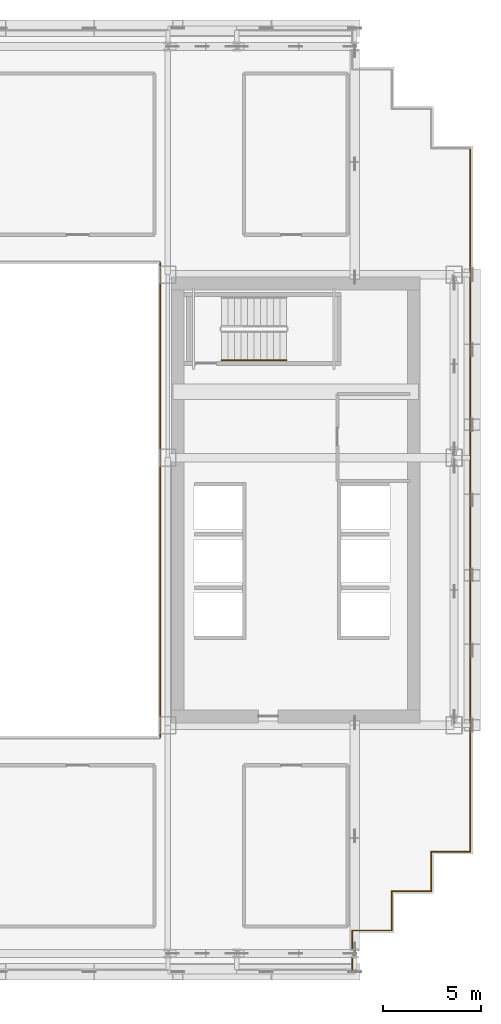
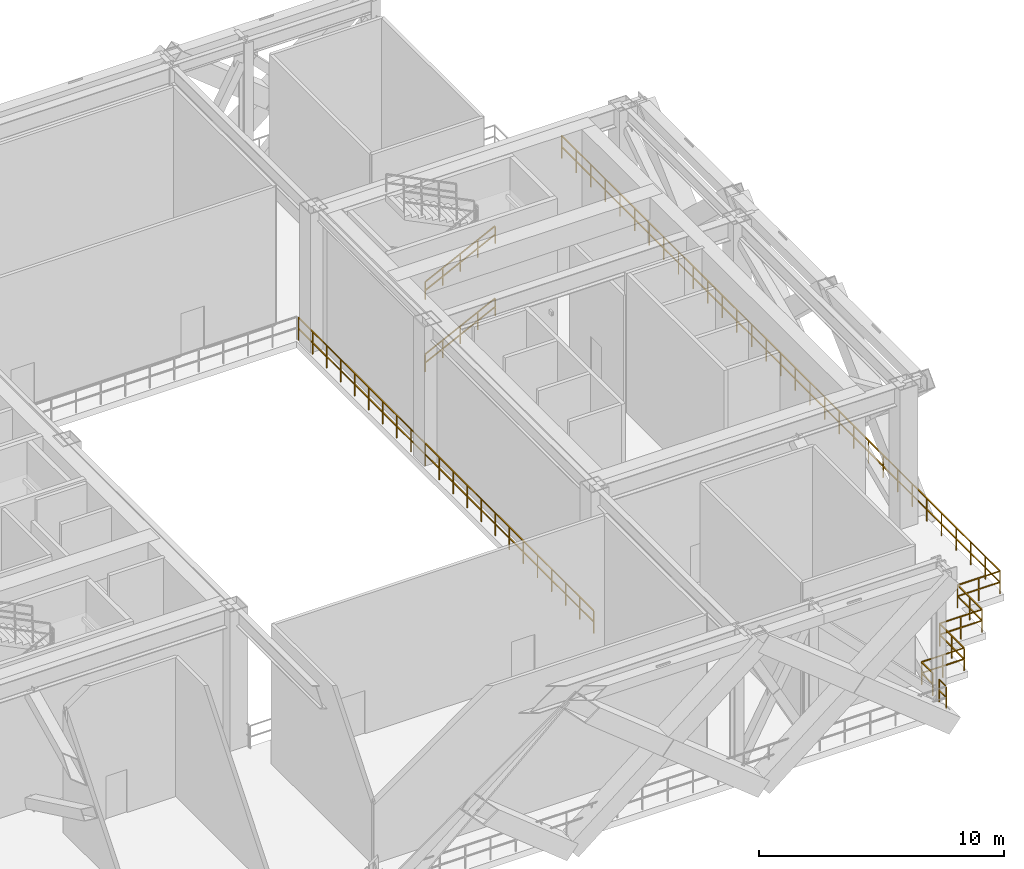
# One storey, part 12 of 14: 11 railings.
"""IFC4 building model written with IfcOpenShell, lengths in metres."""

from ifc_helpers import new_model, si_unit, direction, frame, origin, origin_2d, place, context, subcontext, project, spatial, rectangle, extrude, material, type_object, element, save


model = new_model("IFC4")

# Units and contexts
model_context = context("Model", 3, precision=1e-05, world=origin(), true_north=direction((0.0, 1.0)))
body_context = subcontext(model_context, "Body", "Model", "MODEL_VIEW")
ifc_project = project(units=[si_unit("LENGTHUNIT", "METRE"), si_unit("AREAUNIT", "SQUARE_METRE"), si_unit("VOLUMEUNIT", "CUBIC_METRE"), si_unit("PLANEANGLEUNIT", "RADIAN"), si_unit("MASSUNIT", "GRAM", prefix="KILO")], contexts=[model_context])

# Site, building, storey
site_placement = place(None, origin())
site = spatial("IfcSite", under=ifc_project, at=site_placement, CompositionType="ELEMENT")
building_placement = place(site_placement, origin())
building = spatial("IfcBuilding", under=site, at=building_placement, Name="Ocotamira Hotel", CompositionType="ELEMENT")
storey_placement = place(building_placement, frame((0.0, 0.0, 85.199951171875)))
storey = spatial("IfcBuildingStorey", under=building, at=storey_placement, Name="L21", CompositionType="ELEMENT", Elevation=85.199951171875)

# Railings
ifc_material_1 = material(Name="Painted steel stair guardrail", Category="steel")
railing_type_1 = type_object("IfcRailingType", Name="RL-EDGE-1150", PredefinedType="GUARDRAIL", material=ifc_material_1)
railing_1_placement = place(storey_placement, frame((40.1201171875, 13.9599609375, 0.0)))
element("IfcRailing", 1, at=railing_1_placement, inside=storey, type_object=railing_type_1, Name="L21 Central Atrium Edge Guardrail E", PredefinedType="GUARDRAIL", context=body_context, shape_type="SweptSolid", body=[
    extrude(rectangle(XDim=0.048095703125, YDim=0.048095703125, at=origin_2d()), frame((0.0, 0.0, 1.1259765625), z_axis=(0.0, 1.0, 0.0), x_axis=(-1.0, 0.0, 0.0)), (0.0, 0.0, 1.0), 24.080078125),
    extrude(rectangle(XDim=0.048095703125, YDim=0.048095703125, at=origin_2d()), frame((0.0, 0.0, 0.574951171875), z_axis=(0.0, 1.0, 0.0), x_axis=(-1.0, 0.0, 0.0)), (0.0, 0.0, 1.0), 24.080078125),
    extrude(rectangle(XDim=0.0419921875, YDim=0.0419921875, at=origin_2d()), origin(), (0.0, 0.0, 1.0), 1.101806640625),
    extrude(rectangle(XDim=0.0419921875, YDim=0.0419921875, at=origin_2d()), frame((0.0, 1.146728515625, 0.0)), (0.0, 0.0, 1.0), 1.101806640625),
    extrude(rectangle(XDim=0.0419921875, YDim=0.0419921875, at=origin_2d()), frame((0.0, 2.29345703125, 0.0)), (0.0, 0.0, 1.0), 1.101806640625),
    extrude(rectangle(XDim=0.0419921875, YDim=0.0419921875, at=origin_2d()), frame((0.0, 3.43994140625, 0.0)), (0.0, 0.0, 1.0), 1.101806640625),
    extrude(rectangle(XDim=0.0419921875, YDim=0.0419921875, at=origin_2d()), frame((0.0, 4.586669921875, 0.0)), (0.0, 0.0, 1.0), 1.101806640625),
    extrude(rectangle(XDim=0.0419921875, YDim=0.0419921875, at=origin_2d()), frame((0.0, 5.7333984375, 0.0)), (0.0, 0.0, 1.0), 1.101806640625),
    extrude(rectangle(XDim=0.0419921875, YDim=0.0419921875, at=origin_2d()), frame((0.0, 6.880126953125, 0.0)), (0.0, 0.0, 1.0), 1.101806640625),
    extrude(rectangle(XDim=0.0419921875, YDim=0.0419921875, at=origin_2d()), frame((0.0, 8.026611328125, 0.0)), (0.0, 0.0, 1.0), 1.101806640625),
    extrude(rectangle(XDim=0.0419921875, YDim=0.0419921875, at=origin_2d()), frame((0.0, 9.17333984375, 0.0)), (0.0, 0.0, 1.0), 1.101806640625),
    extrude(rectangle(XDim=0.0419921875, YDim=0.0419921875, at=origin_2d()), frame((0.0, 10.320068359375, 0.0)), (0.0, 0.0, 1.0), 1.101806640625),
    extrude(rectangle(XDim=0.0419921875, YDim=0.0419921875, at=origin_2d()), frame((0.0, 11.466796875, 0.0)), (0.0, 0.0, 1.0), 1.101806640625),
    extrude(rectangle(XDim=0.0419921875, YDim=0.0419921875, at=origin_2d()), frame((0.0, 12.61328125, 0.0)), (0.0, 0.0, 1.0), 1.101806640625),
    extrude(rectangle(XDim=0.0419921875, YDim=0.0419921875, at=origin_2d()), frame((0.0, 13.760009765625, 0.0)), (0.0, 0.0, 1.0), 1.101806640625),
    extrude(rectangle(XDim=0.0419921875, YDim=0.0419921875, at=origin_2d()), frame((0.0, 14.90673828125, 0.0)), (0.0, 0.0, 1.0), 1.101806640625),
    extrude(rectangle(XDim=0.0419921875, YDim=0.0419921875, at=origin_2d()), frame((0.0, 16.053466796875, 0.0)), (0.0, 0.0, 1.0), 1.101806640625),
    extrude(rectangle(XDim=0.0419921875, YDim=0.0419921875, at=origin_2d()), frame((0.0, 17.199951171875, 0.0)), (0.0, 0.0, 1.0), 1.101806640625),
    extrude(rectangle(XDim=0.0419921875, YDim=0.0419921875, at=origin_2d()), frame((0.0, 18.3466796875, 0.0)), (0.0, 0.0, 1.0), 1.101806640625),
    extrude(rectangle(XDim=0.0419921875, YDim=0.0419921875, at=origin_2d()), frame((0.0, 19.493408203125, 0.0)), (0.0, 0.0, 1.0), 1.101806640625),
    extrude(rectangle(XDim=0.0419921875, YDim=0.0419921875, at=origin_2d()), frame((0.0, 20.64013671875, 0.0)), (0.0, 0.0, 1.0), 1.101806640625),
    extrude(rectangle(XDim=0.0419921875, YDim=0.0419921875, at=origin_2d()), frame((0.0, 21.78662109375, 0.0)), (0.0, 0.0, 1.0), 1.101806640625),
    extrude(rectangle(XDim=0.0419921875, YDim=0.0419921875, at=origin_2d()), frame((0.0, 22.933349609375, 0.0)), (0.0, 0.0, 1.0), 1.101806640625),
    extrude(rectangle(XDim=0.0419921875, YDim=0.0419921875, at=origin_2d()), frame((0.0, 24.080078125, 0.0)), (0.0, 0.0, 1.0), 1.101806640625),
])
ifc_material_2 = material(Name="Brushed stainless steel handrail", Category="steel")
railing_type_2 = type_object("IfcRailingType", Name="RL-HAND-900", PredefinedType="HANDRAIL", material=ifc_material_2)
railing_2_placement = place(storey_placement, frame((43.22998046875, 33.10009765625, 0.327392578125)))
element("IfcRailing", 2, at=railing_2_placement, inside=storey, type_object=railing_type_2, Name="L21 ST-4 stair handrail 1", PredefinedType="HANDRAIL", context=body_context, shape_type="SweptSolid", body=[
    extrude(rectangle(XDim=0.048095703125, YDim=0.048095703125, at=origin_2d()), frame((0.0, 0.0, 0.8759765625), z_axis=(0.895920123917, 0.0, 0.444215186098), x_axis=(0.0, 1.0, 0.0)), (0.0, 0.0, 1.0), 3.683349609375),
    extrude(rectangle(XDim=0.048095703125, YDim=0.048095703125, at=origin_2d()), frame((0.0, 0.0, 0.449951171875), z_axis=(0.895920123917, 0.0, 0.444215186098), x_axis=(0.0, 1.0, 0.0)), (0.0, 0.0, 1.0), 3.683349609375),
    extrude(rectangle(XDim=0.0419921875, YDim=0.0419921875, at=origin_2d()), origin(), (0.0, 0.0, 1.0), 0.851806640625),
    extrude(rectangle(XDim=0.0419921875, YDim=0.0419921875, at=origin_2d()), frame((0.824951171875, 0.0, 0.4091796875)), (0.0, 0.0, 1.0), 0.851806640625),
    extrude(rectangle(XDim=0.0419921875, YDim=0.0419921875, at=origin_2d()), frame((1.64990234375, 0.0, 0.818115234375)), (0.0, 0.0, 1.0), 0.851806640625),
    extrude(rectangle(XDim=0.0419921875, YDim=0.0419921875, at=origin_2d()), frame((2.47509765625, 0.0, 1.22705078125)), (0.0, 0.0, 1.0), 0.851806640625),
    extrude(rectangle(XDim=0.0419921875, YDim=0.0419921875, at=origin_2d()), frame((3.300048828125, 0.0, 1.63623046875)), (0.0, 0.0, 1.0), 0.851806640625),
])
railing_3_placement = place(storey_placement, frame((43.22998046875, 33.10009765625, 3.92724609375)))
element("IfcRailing", 3, at=railing_3_placement, inside=storey, type_object=railing_type_2, Name="L21 ST-4 stair handrail 3", PredefinedType="HANDRAIL", context=body_context, shape_type="SweptSolid", body=[
    extrude(rectangle(XDim=0.048095703125, YDim=0.048095703125, at=origin_2d()), frame((0.0, 0.0, 0.8759765625), z_axis=(0.895893744519, 0.0, 0.4442683857), x_axis=(0.0, 1.0, 0.0)), (0.0, 0.0, 1.0), 3.68359375),
    extrude(rectangle(XDim=0.048095703125, YDim=0.048095703125, at=origin_2d()), frame((0.0, 0.0, 0.449951171875), z_axis=(0.895893744519, 0.0, 0.4442683857), x_axis=(0.0, 1.0, 0.0)), (0.0, 0.0, 1.0), 3.68359375),
    extrude(rectangle(XDim=0.0419921875, YDim=0.0419921875, at=origin_2d()), origin(), (0.0, 0.0, 1.0), 0.851806640625),
    extrude(rectangle(XDim=0.0419921875, YDim=0.0419921875, at=origin_2d()), frame((0.824951171875, 0.0, 0.4091796875)), (0.0, 0.0, 1.0), 0.851806640625),
    extrude(rectangle(XDim=0.0419921875, YDim=0.0419921875, at=origin_2d()), frame((1.64990234375, 0.0, 0.818359375)), (0.0, 0.0, 1.0), 0.851806640625),
    extrude(rectangle(XDim=0.0419921875, YDim=0.0419921875, at=origin_2d()), frame((2.47509765625, 0.0, 1.227294921875)), (0.0, 0.0, 1.0), 0.851806640625),
    extrude(rectangle(XDim=0.0419921875, YDim=0.0419921875, at=origin_2d()), frame((3.300048828125, 0.0, 1.636474609375)), (0.0, 0.0, 1.0), 0.851806640625),
])
ifc_material_3 = material(Name="Pale-metal stainless steel guardrail", Category="steel")
railing_type_3 = type_object("IfcRailingType", Name="RL-PERIM-1150", PredefinedType="GUARDRAIL", material=ifc_material_3)
railing_4_placement = place(storey_placement, frame((55.8798828125, 43.8798828125, 0.0)))
element("IfcRailing", 4, at=railing_4_placement, inside=storey, type_object=railing_type_3, Name="L21 Perimeter Guardrail WSLOT1-24", PredefinedType="GUARDRAIL", context=body_context, shape_type="SweptSolid", body=[
    extrude(rectangle(XDim=0.048095703125, YDim=0.048095703125, at=origin_2d()), frame((0.0, 0.0, 1.1259765625), z_axis=(0.0, -1.0, 0.0), x_axis=(1.0, 0.0, 0.0)), (0.0, 0.0, 1.0), 35.759765625),
    extrude(rectangle(XDim=0.048095703125, YDim=0.048095703125, at=origin_2d()), frame((0.0, 0.0, 0.574951171875), z_axis=(0.0, -1.0, 0.0), x_axis=(1.0, 0.0, 0.0)), (0.0, 0.0, 1.0), 35.759765625),
    extrude(rectangle(XDim=0.0419921875, YDim=0.0419921875, at=origin_2d()), origin(), (0.0, 0.0, 1.0), 1.101806640625),
    extrude(rectangle(XDim=0.0419921875, YDim=0.0419921875, at=origin_2d()), frame((0.0, -1.19189453125, 0.0)), (0.0, 0.0, 1.0), 1.101806640625),
    extrude(rectangle(XDim=0.0419921875, YDim=0.0419921875, at=origin_2d()), frame((0.0, -2.384033203125, 0.0)), (0.0, 0.0, 1.0), 1.101806640625),
    extrude(rectangle(XDim=0.0419921875, YDim=0.0419921875, at=origin_2d()), frame((0.0, -3.575927734375, 0.0)), (0.0, 0.0, 1.0), 1.101806640625),
    extrude(rectangle(XDim=0.0419921875, YDim=0.0419921875, at=origin_2d()), frame((0.0, -4.76806640625, 0.0)), (0.0, 0.0, 1.0), 1.101806640625),
    extrude(rectangle(XDim=0.0419921875, YDim=0.0419921875, at=origin_2d()), frame((0.0, -5.9599609375, 0.0)), (0.0, 0.0, 1.0), 1.101806640625),
    extrude(rectangle(XDim=0.0419921875, YDim=0.0419921875, at=origin_2d()), frame((0.0, -7.15185546875, 0.0)), (0.0, 0.0, 1.0), 1.101806640625),
    extrude(rectangle(XDim=0.0419921875, YDim=0.0419921875, at=origin_2d()), frame((0.0, -8.343994140625, 0.0)), (0.0, 0.0, 1.0), 1.101806640625),
    extrude(rectangle(XDim=0.0419921875, YDim=0.0419921875, at=origin_2d()), frame((0.0, -9.535888671875, 0.0)), (0.0, 0.0, 1.0), 1.101806640625),
    extrude(rectangle(XDim=0.0419921875, YDim=0.0419921875, at=origin_2d()), frame((0.0, -10.72802734375, 0.0)), (0.0, 0.0, 1.0), 1.101806640625),
    extrude(rectangle(XDim=0.0419921875, YDim=0.0419921875, at=origin_2d()), frame((0.0, -11.919921875, 0.0)), (0.0, 0.0, 1.0), 1.101806640625),
    extrude(rectangle(XDim=0.0419921875, YDim=0.0419921875, at=origin_2d()), frame((0.0, -13.11181640625, 0.0)), (0.0, 0.0, 1.0), 1.101806640625),
    extrude(rectangle(XDim=0.0419921875, YDim=0.0419921875, at=origin_2d()), frame((0.0, -14.303955078125, 0.0)), (0.0, 0.0, 1.0), 1.101806640625),
    extrude(rectangle(XDim=0.0419921875, YDim=0.0419921875, at=origin_2d()), frame((0.0, -15.495849609375, 0.0)), (0.0, 0.0, 1.0), 1.101806640625),
    extrude(rectangle(XDim=0.0419921875, YDim=0.0419921875, at=origin_2d()), frame((0.0, -16.68798828125, 0.0)), (0.0, 0.0, 1.0), 1.101806640625),
    extrude(rectangle(XDim=0.0419921875, YDim=0.0419921875, at=origin_2d()), frame((0.0, -17.8798828125, 0.0)), (0.0, 0.0, 1.0), 1.101806640625),
    extrude(rectangle(XDim=0.0419921875, YDim=0.0419921875, at=origin_2d()), frame((0.0, -19.07177734375, 0.0)), (0.0, 0.0, 1.0), 1.101806640625),
    extrude(rectangle(XDim=0.0419921875, YDim=0.0419921875, at=origin_2d()), frame((0.0, -20.263916015625, 0.0)), (0.0, 0.0, 1.0), 1.101806640625),
    extrude(rectangle(XDim=0.0419921875, YDim=0.0419921875, at=origin_2d()), frame((0.0, -21.455810546875, 0.0)), (0.0, 0.0, 1.0), 1.101806640625),
    extrude(rectangle(XDim=0.0419921875, YDim=0.0419921875, at=origin_2d()), frame((0.0, -22.64794921875, 0.0)), (0.0, 0.0, 1.0), 1.101806640625),
    extrude(rectangle(XDim=0.0419921875, YDim=0.0419921875, at=origin_2d()), frame((0.0, -23.83984375, 0.0)), (0.0, 0.0, 1.0), 1.101806640625),
    extrude(rectangle(XDim=0.0419921875, YDim=0.0419921875, at=origin_2d()), frame((0.0, -25.03173828125, 0.0)), (0.0, 0.0, 1.0), 1.101806640625),
    extrude(rectangle(XDim=0.0419921875, YDim=0.0419921875, at=origin_2d()), frame((0.0, -26.223876953125, 0.0)), (0.0, 0.0, 1.0), 1.101806640625),
    extrude(rectangle(XDim=0.0419921875, YDim=0.0419921875, at=origin_2d()), frame((0.0, -27.415771484375, 0.0)), (0.0, 0.0, 1.0), 1.101806640625),
    extrude(rectangle(XDim=0.0419921875, YDim=0.0419921875, at=origin_2d()), frame((0.0, -28.60791015625, 0.0)), (0.0, 0.0, 1.0), 1.101806640625),
    extrude(rectangle(XDim=0.0419921875, YDim=0.0419921875, at=origin_2d()), frame((0.0, -29.7998046875, 0.0)), (0.0, 0.0, 1.0), 1.101806640625),
    extrude(rectangle(XDim=0.0419921875, YDim=0.0419921875, at=origin_2d()), frame((0.0, -30.99169921875, 0.0)), (0.0, 0.0, 1.0), 1.101806640625),
    extrude(rectangle(XDim=0.0419921875, YDim=0.0419921875, at=origin_2d()), frame((0.0, -32.183837890625, 0.0)), (0.0, 0.0, 1.0), 1.101806640625),
    extrude(rectangle(XDim=0.0419921875, YDim=0.0419921875, at=origin_2d()), frame((0.0, -33.375732421875, 0.0)), (0.0, 0.0, 1.0), 1.101806640625),
    extrude(rectangle(XDim=0.0419921875, YDim=0.0419921875, at=origin_2d()), frame((0.0, -34.56787109375, 0.0)), (0.0, 0.0, 1.0), 1.101806640625),
    extrude(rectangle(XDim=0.0419921875, YDim=0.0419921875, at=origin_2d()), frame((0.0, -35.759765625, 0.0)), (0.0, 0.0, 1.0), 1.101806640625),
])
railing_5_placement = place(storey_placement, frame((55.8798828125, 8.1201171875, 0.0)))
element("IfcRailing", 5, at=railing_5_placement, inside=storey, type_object=railing_type_3, Name="L21 Perimeter Guardrail WSLOT1-25", PredefinedType="GUARDRAIL", context=body_context, shape_type="SweptSolid", body=[
    extrude(rectangle(XDim=0.048095703125, YDim=0.048095703125, at=origin_2d()), frame((0.0, 0.0, 1.1259765625), z_axis=(-1.0, 0.0, 0.0), x_axis=(0.0, -1.0, 0.0)), (0.0, 0.0, 1.0), 2.0),
    extrude(rectangle(XDim=0.048095703125, YDim=0.048095703125, at=origin_2d()), frame((0.0, 0.0, 0.574951171875), z_axis=(-1.0, 0.0, 0.0), x_axis=(0.0, -1.0, 0.0)), (0.0, 0.0, 1.0), 2.0),
    extrude(rectangle(XDim=0.0419921875, YDim=0.0419921875, at=origin_2d()), origin(), (0.0, 0.0, 1.0), 1.101806640625),
    extrude(rectangle(XDim=0.0419921875, YDim=0.0419921875, at=origin_2d()), frame((-1.0, 0.0, 0.0)), (0.0, 0.0, 1.0), 1.101806640625),
    extrude(rectangle(XDim=0.0419921875, YDim=0.0419921875, at=origin_2d()), frame((-2.0, 0.0, 0.0)), (0.0, 0.0, 1.0), 1.101806640625),
])
railing_6_placement = place(storey_placement, frame((53.8798828125, 8.1201171875, 0.0)))
element("IfcRailing", 6, at=railing_6_placement, inside=storey, type_object=railing_type_3, Name="L21 Perimeter Guardrail WSLOT1-26", PredefinedType="GUARDRAIL", context=body_context, shape_type="SweptSolid", body=[
    extrude(rectangle(XDim=0.048095703125, YDim=0.048095703125, at=origin_2d()), frame((0.0, 0.0, 1.1259765625), z_axis=(0.0, -1.0, 0.0), x_axis=(1.0, 0.0, 0.0)), (0.0, 0.0, 1.0), 2.0),
    extrude(rectangle(XDim=0.048095703125, YDim=0.048095703125, at=origin_2d()), frame((0.0, 0.0, 0.574951171875), z_axis=(0.0, -1.0, 0.0), x_axis=(1.0, 0.0, 0.0)), (0.0, 0.0, 1.0), 2.0),
    extrude(rectangle(XDim=0.0419921875, YDim=0.0419921875, at=origin_2d()), origin(), (0.0, 0.0, 1.0), 1.101806640625),
    extrude(rectangle(XDim=0.0419921875, YDim=0.0419921875, at=origin_2d()), frame((0.0, -1.0, 0.0)), (0.0, 0.0, 1.0), 1.101806640625),
    extrude(rectangle(XDim=0.0419921875, YDim=0.0419921875, at=origin_2d()), frame((0.0, -2.0, 0.0)), (0.0, 0.0, 1.0), 1.101806640625),
])
railing_7_placement = place(storey_placement, frame((53.8798828125, 6.1201171875, 0.0)))
element("IfcRailing", 7, at=railing_7_placement, inside=storey, type_object=railing_type_3, Name="L21 Perimeter Guardrail WSLOT1-27", PredefinedType="GUARDRAIL", context=body_context, shape_type="SweptSolid", body=[
    extrude(rectangle(XDim=0.048095703125, YDim=0.048095703125, at=origin_2d()), frame((0.0, 0.0, 1.1259765625), z_axis=(-1.0, 0.0, 0.0), x_axis=(0.0, -1.0, 0.0)), (0.0, 0.0, 1.0), 2.0),
    extrude(rectangle(XDim=0.048095703125, YDim=0.048095703125, at=origin_2d()), frame((0.0, 0.0, 0.574951171875), z_axis=(-1.0, 0.0, 0.0), x_axis=(0.0, -1.0, 0.0)), (0.0, 0.0, 1.0), 2.0),
    extrude(rectangle(XDim=0.0419921875, YDim=0.0419921875, at=origin_2d()), origin(), (0.0, 0.0, 1.0), 1.101806640625),
    extrude(rectangle(XDim=0.0419921875, YDim=0.0419921875, at=origin_2d()), frame((-1.0, 0.0, 0.0)), (0.0, 0.0, 1.0), 1.101806640625),
    extrude(rectangle(XDim=0.0419921875, YDim=0.0419921875, at=origin_2d()), frame((-2.0, 0.0, 0.0)), (0.0, 0.0, 1.0), 1.101806640625),
])
railing_8_placement = place(storey_placement, frame((51.8798828125, 6.1201171875, 0.0)))
element("IfcRailing", 8, at=railing_8_placement, inside=storey, type_object=railing_type_3, Name="L21 Perimeter Guardrail WSLOT1-28", PredefinedType="GUARDRAIL", context=body_context, shape_type="SweptSolid", body=[
    extrude(rectangle(XDim=0.048095703125, YDim=0.048095703125, at=origin_2d()), frame((0.0, 0.0, 1.1259765625), z_axis=(0.0, -1.0, 0.0), x_axis=(1.0, 0.0, 0.0)), (0.0, 0.0, 1.0), 2.0),
    extrude(rectangle(XDim=0.048095703125, YDim=0.048095703125, at=origin_2d()), frame((0.0, 0.0, 0.574951171875), z_axis=(0.0, -1.0, 0.0), x_axis=(1.0, 0.0, 0.0)), (0.0, 0.0, 1.0), 2.0),
    extrude(rectangle(XDim=0.0419921875, YDim=0.0419921875, at=origin_2d()), origin(), (0.0, 0.0, 1.0), 1.101806640625),
    extrude(rectangle(XDim=0.0419921875, YDim=0.0419921875, at=origin_2d()), frame((0.0, -1.0, 0.0)), (0.0, 0.0, 1.0), 1.101806640625),
    extrude(rectangle(XDim=0.0419921875, YDim=0.0419921875, at=origin_2d()), frame((0.0, -2.0, 0.0)), (0.0, 0.0, 1.0), 1.101806640625),
])
railing_9_placement = place(storey_placement, frame((51.8798828125, 4.1201171875, 0.0)))
element("IfcRailing", 9, at=railing_9_placement, inside=storey, type_object=railing_type_3, Name="L21 Perimeter Guardrail WSLOT1-29", PredefinedType="GUARDRAIL", context=body_context, shape_type="SweptSolid", body=[
    extrude(rectangle(XDim=0.048095703125, YDim=0.048095703125, at=origin_2d()), frame((0.0, 0.0, 1.1259765625), z_axis=(-1.0, 0.0, 0.0), x_axis=(0.0, -1.0, 0.0)), (0.0, 0.0, 1.0), 2.0),
    extrude(rectangle(XDim=0.048095703125, YDim=0.048095703125, at=origin_2d()), frame((0.0, 0.0, 0.574951171875), z_axis=(-1.0, 0.0, 0.0), x_axis=(0.0, -1.0, 0.0)), (0.0, 0.0, 1.0), 2.0),
    extrude(rectangle(XDim=0.0419921875, YDim=0.0419921875, at=origin_2d()), origin(), (0.0, 0.0, 1.0), 1.101806640625),
    extrude(rectangle(XDim=0.0419921875, YDim=0.0419921875, at=origin_2d()), frame((-1.0, 0.0, 0.0)), (0.0, 0.0, 1.0), 1.101806640625),
    extrude(rectangle(XDim=0.0419921875, YDim=0.0419921875, at=origin_2d()), frame((-2.0, 0.0, 0.0)), (0.0, 0.0, 1.0), 1.101806640625),
])
railing_10_placement = place(storey_placement, frame((49.8798828125, 4.1201171875, 0.0)))
element("IfcRailing", 10, at=railing_10_placement, inside=storey, type_object=railing_type_3, Name="L21 Perimeter Guardrail WSLOT1-30", PredefinedType="GUARDRAIL", context=body_context, shape_type="SweptSolid", body=[
    extrude(rectangle(XDim=0.048095703125, YDim=0.048095703125, at=origin_2d()), frame((0.0, 0.0, 1.1259765625), z_axis=(0.0, -1.0, 0.0), x_axis=(1.0, 0.0, 0.0)), (0.0, 0.0, 1.0), 0.917724609375),
    extrude(rectangle(XDim=0.048095703125, YDim=0.048095703125, at=origin_2d()), frame((0.0, 0.0, 0.574951171875), z_axis=(0.0, -1.0, 0.0), x_axis=(1.0, 0.0, 0.0)), (0.0, 0.0, 1.0), 0.917724609375),
    extrude(rectangle(XDim=0.0419921875, YDim=0.0419921875, at=origin_2d()), origin(), (0.0, 0.0, 1.0), 1.101806640625),
    extrude(rectangle(XDim=0.0419921875, YDim=0.0419921875, at=origin_2d()), frame((0.0, -0.917724609375, 0.0)), (0.0, 0.0, 1.0), 1.101806640625),
])
railing_11_placement = place(storey_placement, frame((49.8798828125, 2.697509765625, 0.0)))
element("IfcRailing", 11, at=railing_11_placement, inside=storey, type_object=railing_type_3, Name="L21 Perimeter Guardrail WSLOT1-31", PredefinedType="GUARDRAIL", context=body_context, shape_type="SweptSolid", body=[
    extrude(rectangle(XDim=0.048095703125, YDim=0.048095703125, at=origin_2d()), frame((0.0, 0.0, 1.1259765625), z_axis=(0.0, -1.0, 0.0), x_axis=(1.0, 0.0, 0.0)), (0.0, 0.0, 1.0), 0.577392578125),
    extrude(rectangle(XDim=0.048095703125, YDim=0.048095703125, at=origin_2d()), frame((0.0, 0.0, 0.574951171875), z_axis=(0.0, -1.0, 0.0), x_axis=(1.0, 0.0, 0.0)), (0.0, 0.0, 1.0), 0.577392578125),
    extrude(rectangle(XDim=0.0419921875, YDim=0.0419921875, at=origin_2d()), origin(), (0.0, 0.0, 1.0), 1.101806640625),
    extrude(rectangle(XDim=0.0419921875, YDim=0.0419921875, at=origin_2d()), frame((0.0, -0.577392578125, 0.0)), (0.0, 0.0, 1.0), 1.101806640625),
])

save(model, "model.ifc")
